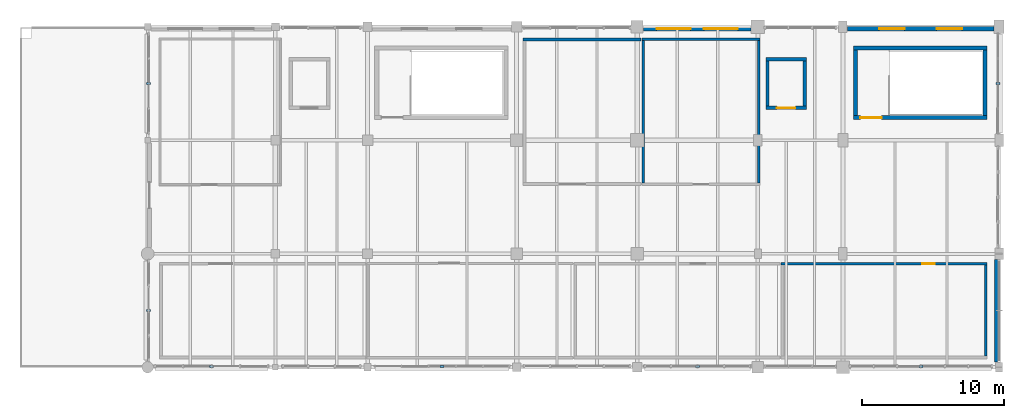
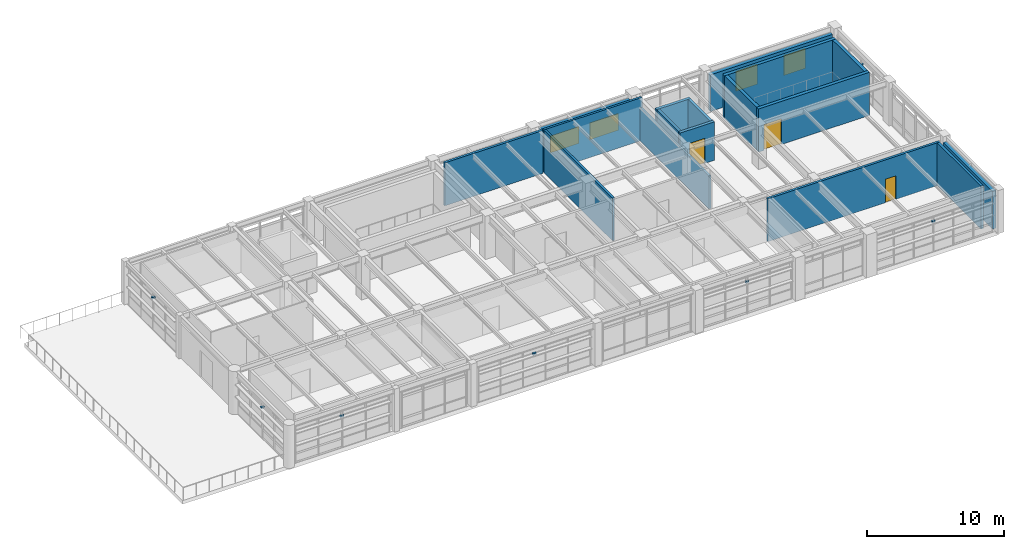
# One storey, part 25 of 26: 17 walls, 7 discrete accessories, 4 windows, 3 doors, 7 openings.
"""IFC4 building model written with IfcOpenShell, lengths in metres."""

from ifc_helpers import new_model, si_unit, direction, frame, frame_2d, origin, origin_2d, place, context, subcontext, project, spatial, rectangle, extrude, material, layer, layer_set, type_object, element, fill, save


model = new_model("IFC4")

# Units and contexts
model_context = context("Model", 3, precision=1e-05, world=origin(), true_north=direction((0.0, 1.0)))
body_context = subcontext(model_context, "Body", "Model", "MODEL_VIEW")
ifc_project = project(units=[si_unit("LENGTHUNIT", "METRE"), si_unit("AREAUNIT", "SQUARE_METRE"), si_unit("VOLUMEUNIT", "CUBIC_METRE"), si_unit("PLANEANGLEUNIT", "RADIAN"), si_unit("MASSUNIT", "GRAM", prefix="KILO"), si_unit("THERMODYNAMICTEMPERATUREUNIT", "KELVIN"), si_unit("POWERUNIT", "WATT")], contexts=[model_context])

# Site, building, storey
site_placement = place(None, origin())
site = spatial("IfcSite", under=ifc_project, at=site_placement, CompositionType="ELEMENT")
building_placement = place(site_placement, origin())
building = spatial("IfcBuilding", under=site, at=building_placement, Name="Tepalcoro Natatorium and Aquatics Centre", CompositionType="ELEMENT")
storey_placement = place(building_placement, frame((0.0, 0.0, 19.0)))
storey = spatial("IfcBuildingStorey", under=building, at=storey_placement, Name="L04", CompositionType="ELEMENT", Elevation=19.0)

# Wall, openings, windows
ifc_material_1 = material(Name="Jalisco Cantera Rosa Volcanic Tuff Ashlar Masonry", Category="masonry")
ifc_layer_1 = layer(ifc_material_1, 0.304931640625)
ifc_layer_set_1 = layer_set([ifc_layer_1], Name="Jalisco Cantera Rosa Volcanic Tuff Ashlar Masonry")
wall_type_1 = type_object("IfcWallType", Name="WL_EXT_TERRACOTTA_300", PredefinedType="SOLIDWALL", material=ifc_layer_set_1)
wall_1_placement = place(storey_placement, frame((150.928955078125, 117.847412109375, 0.0), z_axis=(0.0, 0.0, 1.0), x_axis=(1.0, 0.0, 0.0)))
wall_1 = element("IfcWall", 1, at=wall_1_placement, inside=storey, type_object=wall_type_1, Name="V5 L04 N Volcanic Basalt Envelope Wall", PredefinedType="SOLIDWALL", context=body_context, shape_type="SweptSolid", body=[
    extrude(rectangle(XDim=7.592041015625, YDim=0.304931640625, at=frame_2d((3.7958984375, 0.0))), origin(), (0.0, 0.0, 1.0), 3.406982421875),
])
opening_1_placement = place(wall_1_placement, frame((0.9306640625, 0.0, 0.949951171875)))
opening_1 = element("IfcOpeningElement", 2, at=opening_1_placement, cuts=wall_1, Name="Opening W0113A", PredefinedType="OPENING", context=body_context, shape_type="SweptSolid", body=[
    extrude(rectangle(XDim=2.39990234375, YDim=1.5, at=frame_2d((1.199951171875, 0.75))), frame((0.0, 0.16455078125, 0.0), z_axis=(0.0, -1.0, 0.0), x_axis=(1.0, 0.0, 0.0)), (0.0, 0.0, 1.0), 0.328857421875),
])
opening_2_placement = place(wall_1_placement, frame((4.26123046875, 0.0, 0.949951171875)))
opening_2 = element("IfcOpeningElement", 3, at=opening_2_placement, cuts=wall_1, Name="Opening W0113B", PredefinedType="OPENING", context=body_context, shape_type="SweptSolid", body=[
    extrude(rectangle(XDim=2.39990234375, YDim=1.5, at=frame_2d((1.199951171875, 0.75))), frame((0.0, 0.16455078125, 0.0), z_axis=(0.0, -1.0, 0.0), x_axis=(1.0, 0.0, 0.0)), (0.0, 0.0, 1.0), 0.328857421875),
])
ifc_material_2 = material(Name="Solar-Control Bronze Tempered Low-E Double Glazing", Category="glass")
window_type_1 = type_object("IfcWindowType", Name="WN_240x150", PartitioningType="SINGLE_PANEL", PredefinedType="WINDOW", material=ifc_material_2)
window_1_placement = place(opening_1_placement, origin())
window_1 = element("IfcWindow", 4, at=window_1_placement, inside=storey, type_object=window_type_1, Name="Exterior Thermal Window WN_240x150", OverallHeight=1.5, OverallWidth=2.39990234375, PartitioningType="SINGLE_PANEL", PredefinedType="WINDOW", context=body_context, shape_type="SweptSolid", body=[
    extrude(rectangle(XDim=2.39990234375, YDim=1.5, at=frame_2d((1.199951171875, 0.75))), frame((0.0, 0.030029296875, 0.0), z_axis=(0.0, -1.0, 0.0), x_axis=(1.0, 0.0, 0.0)), (0.0, 0.0, 1.0), 0.06005859375),
])
fill(opening_1, window_1)
window_2_placement = place(opening_2_placement, origin())
window_2 = element("IfcWindow", 5, at=window_2_placement, inside=storey, type_object=window_type_1, Name="Exterior Thermal Window WN_240x150", OverallHeight=1.5, OverallWidth=2.39990234375, PartitioningType="SINGLE_PANEL", PredefinedType="WINDOW", context=body_context, shape_type="SweptSolid", body=[
    extrude(rectangle(XDim=2.39990234375, YDim=1.5, at=frame_2d((1.199951171875, 0.75))), frame((0.0, 0.030029296875, 0.0), z_axis=(0.0, -1.0, 0.0), x_axis=(1.0, 0.0, 0.0)), (0.0, 0.0, 1.0), 0.06005859375),
])
fill(opening_2, window_2)

wall_2_placement = place(storey_placement, frame((165.303955078125, 117.847412109375, 0.0), z_axis=(0.0, 0.0, 1.0), x_axis=(1.0, 0.0, 0.0)))
wall_2 = element("IfcWall", 6, at=wall_2_placement, inside=storey, type_object=wall_type_1, Name="V5 L04 N Volcanic Basalt Envelope Wall", PredefinedType="SOLIDWALL", context=body_context, shape_type="SweptSolid", body=[
    extrude(rectangle(XDim=10.342041015625, YDim=0.304931640625, at=frame_2d((5.1708984375, 0.0))), origin(), (0.0, 0.0, 1.0), 3.283935546875),
])
opening_3_placement = place(wall_2_placement, frame((2.247314453125, 0.0, 0.949951171875)))
opening_3 = element("IfcOpeningElement", 7, at=opening_3_placement, cuts=wall_2, Name="Opening W0114A", PredefinedType="OPENING", context=body_context, shape_type="SweptSolid", body=[
    extrude(rectangle(XDim=1.800048828125, YDim=1.800048828125, at=frame_2d((0.89990234375, 0.89990234375))), frame((0.0, 0.16455078125, 0.0), z_axis=(0.0, -1.0, 0.0), x_axis=(1.0, 0.0, 0.0)), (0.0, 0.0, 1.0), 0.328857421875),
])
opening_4_placement = place(wall_2_placement, frame((6.294677734375, 0.0, 0.949951171875)))
opening_4 = element("IfcOpeningElement", 8, at=opening_4_placement, cuts=wall_2, Name="Opening W0114B", PredefinedType="OPENING", context=body_context, shape_type="SweptSolid", body=[
    extrude(rectangle(XDim=1.800048828125, YDim=1.800048828125, at=frame_2d((0.89990234375, 0.89990234375))), frame((0.0, 0.16455078125, 0.0), z_axis=(0.0, -1.0, 0.0), x_axis=(1.0, 0.0, 0.0)), (0.0, 0.0, 1.0), 0.328857421875),
])
window_type_2 = type_object("IfcWindowType", Name="WN_180x180", PartitioningType="SINGLE_PANEL", PredefinedType="WINDOW", material=ifc_material_2)
window_3_placement = place(opening_3_placement, origin())
window_3 = element("IfcWindow", 9, at=window_3_placement, inside=storey, type_object=window_type_2, Name="Exterior Thermal Window WN_180x180", OverallHeight=1.800048828125, OverallWidth=1.800048828125, PartitioningType="SINGLE_PANEL", PredefinedType="WINDOW", context=body_context, shape_type="SweptSolid", body=[
    extrude(rectangle(XDim=1.800048828125, YDim=1.800048828125, at=frame_2d((0.89990234375, 0.89990234375))), frame((0.0, 0.030029296875, 0.0), z_axis=(0.0, -1.0, 0.0), x_axis=(1.0, 0.0, 0.0)), (0.0, 0.0, 1.0), 0.06005859375),
])
fill(opening_3, window_3)
window_4_placement = place(opening_4_placement, origin())
window_4 = element("IfcWindow", 10, at=window_4_placement, inside=storey, type_object=window_type_2, Name="Exterior Thermal Window WN_180x180", OverallHeight=1.800048828125, OverallWidth=1.800048828125, PartitioningType="SINGLE_PANEL", PredefinedType="WINDOW", context=body_context, shape_type="SweptSolid", body=[
    extrude(rectangle(XDim=1.800048828125, YDim=1.800048828125, at=frame_2d((0.89990234375, 0.89990234375))), frame((0.0, 0.030029296875, 0.0), z_axis=(0.0, -1.0, 0.0), x_axis=(1.0, 0.0, 0.0)), (0.0, 0.0, 1.0), 0.06005859375),
])
fill(opening_4, window_4)

# Walls
wall_3_placement = place(storey_placement, frame((175.847412109375, 94.35400390625, 0.0), z_axis=(0.0, 0.0, 1.0), x_axis=(0.0, 1.0, 0.0)))
element("IfcWall", 11, at=wall_3_placement, inside=storey, type_object=wall_type_1, Name="V5 L04 E Volcanic Basalt Envelope Wall", PredefinedType="SOLIDWALL", context=body_context, shape_type="SweptSolid", body=[
    extrude(rectangle(XDim=7.241943359375, YDim=0.304931640625, at=frame_2d((3.62109375, 0.0))), origin(), (0.0, 0.0, 1.0), 3.360107421875),
])
ifc_material_3 = material(Name="Moisture-Resistant Acoustic Gypsum Drywall on Cold-Formed Metal Studs")
ifc_layer_2 = layer(ifc_material_3, 0.179931640625)
ifc_layer_set_2 = layer_set([ifc_layer_2], Name="Moisture-Resistant Acoustic Gypsum Drywall on Cold-Formed Metal Studs")
wall_type_2 = type_object("IfcWallType", Name="WL_PART_180_AC", PredefinedType="PARTITIONING", material=ifc_layer_set_2)
wall_4_placement = place(storey_placement, frame((150.840087890625, 117.110107421875, 0.0), z_axis=(0.0, 0.0, 1.0), x_axis=(1.0, 0.0, 0.0)))
element("IfcWall", 12, at=wall_4_placement, inside=storey, type_object=wall_type_2, Name="Observatory Catering Pantry & Chair Store Partition N", PredefinedType="PARTITIONING", context=body_context, shape_type="SweptSolid", body=[
    extrude(rectangle(XDim=8.31982421875, YDim=0.179931640625, at=frame_2d((4.159912109375, 0.0))), origin(), (0.0, 0.0, 1.0), 3.8349609375),
])
wall_5_placement = place(storey_placement, frame((159.070068359375, 106.97998046875, 0.0), z_axis=(0.0, 0.0, 1.0), x_axis=(0.0, 1.0, 0.0)))
element("IfcWall", 13, at=wall_5_placement, inside=storey, type_object=wall_type_2, Name="Observatory Catering Pantry & Chair Store Partition E", PredefinedType="PARTITIONING", context=body_context, shape_type="SweptSolid", body=[
    extrude(rectangle(XDim=10.0400390625, YDim=0.179931640625, at=frame_2d((5.02001953125, 0.0))), origin(), (0.0, 0.0, 1.0), 2.9609375),
])
wall_6_placement = place(storey_placement, frame((150.929931640625, 106.97998046875, 0.0), z_axis=(0.0, 0.0, 1.0), x_axis=(0.0, 1.0, 0.0)))
element("IfcWall", 14, at=wall_6_placement, inside=storey, type_object=wall_type_2, Name="Observatory Catering Pantry & Chair Store Partition W", PredefinedType="PARTITIONING", context=body_context, shape_type="SweptSolid", body=[
    extrude(rectangle(XDim=10.0400390625, YDim=0.179931640625, at=frame_2d((5.02001953125, 0.0))), origin(), (0.0, 0.0, 1.0), 3.8349609375),
])

# Wall, opening, door
ifc_material_4 = material(Name="Ceramic-Tiled Moisture-Resistant Masonry Blockwork", Category="masonry")
ifc_layer_3 = layer(ifc_material_4, 0.199951171875)
ifc_layer_set_3 = layer_set([ifc_layer_3], Name="Ceramic-Tiled Moisture-Resistant Masonry Blockwork")
wall_type_3 = type_object("IfcWallType", Name="WL_PLUMB_200", PredefinedType="PLUMBINGWALL", material=ifc_layer_set_3)
wall_7_placement = place(storey_placement, frame((160.639892578125, 101.300048828125, 0.0), z_axis=(0.0, 0.0, 1.0), x_axis=(1.0, 0.0, 0.0)))
wall_7 = element("IfcWall", 15, at=wall_7_placement, inside=storey, type_object=wall_type_3, Name="L04 Observatory Male/Female & Accessible Toilets Partition N", PredefinedType="PLUMBINGWALL", context=body_context, shape_type="SweptSolid", body=[
    extrude(rectangle(XDim=14.52001953125, YDim=0.199951171875, at=frame_2d((7.260009765625, 0.0))), origin(), (0.0, 0.0, 1.0), 3.8349609375),
])
opening_5_placement = place(wall_7_placement, frame((9.93994140625, 0.0, 0.0)))
opening_5 = element("IfcOpeningElement", 16, at=opening_5_placement, cuts=wall_7, Name="Opening D0193", PredefinedType="OPENING", context=body_context, shape_type="SweptSolid", body=[
    extrude(rectangle(XDim=0.89990234375, YDim=2.10009765625, at=frame_2d((0.449951171875, 1.050048828125))), frame((0.0, 0.11181640625, 0.0), z_axis=(0.0, -1.0, 0.0), x_axis=(1.0, 0.0, 0.0)), (0.0, 0.0, 1.0), 0.223876953125),
])
ifc_material_5 = material(Name="Solid-Core Moisture-Sealed Oak Timber Leaf in Aluminium Frame", Category="wood")
door_type_1 = type_object("IfcDoorType", Name="DR_095x215_WC", OperationType="NOTDEFINED", PredefinedType="DOOR", material=ifc_material_5)
door_1_placement = place(opening_5_placement, frame((0.89990234375, 0.0, 0.0), z_axis=(0.0, 0.0, 1.0), x_axis=(-1.0, 0.0, 0.0)))
door_1 = element("IfcDoor", 17, at=door_1_placement, inside=storey, type_object=door_type_1, Name="L04 Observatory Male/Female & Accessible Toilets Door", OperationType="SINGLE_SWING_RIGHT", OverallHeight=2.10009765625, OverallWidth=0.89990234375, PredefinedType="DOOR", context=body_context, shape_type="SweptSolid", body=[
    extrude(rectangle(XDim=0.89990234375, YDim=2.10009765625, at=frame_2d((0.449951171875, 1.050048828125))), frame((0.0, 0.02490234375, 0.0), z_axis=(0.0, -1.0, 0.0), x_axis=(1.0, 0.0, 0.0)), (0.0, 0.0, 1.0), 0.050048828125),
])
fill(opening_5, door_1)

# Wall
wall_8_placement = place(storey_placement, frame((175.06005859375, 94.800048828125, 0.0), z_axis=(0.0, 0.0, 1.0), x_axis=(0.0, 1.0, 0.0)))
element("IfcWall", 18, at=wall_8_placement, inside=storey, type_object=wall_type_3, Name="L04 Observatory Male/Female & Accessible Toilets Partition E", PredefinedType="PLUMBINGWALL", context=body_context, shape_type="SweptSolid", body=[
    extrude(rectangle(XDim=6.39990234375, YDim=0.199951171875, at=frame_2d((3.199951171875, 0.0))), origin(), (0.0, 0.0, 1.0), 3.8349609375),
])

# Wall, opening, door
ifc_material_6 = material(Name="Concrete C40/50 (fc 40 MPa)", Category="concrete")
ifc_layer_4 = layer(ifc_material_6, 0.239990234375)
ifc_layer_set_4 = layer_set([ifc_layer_4], Name="Concrete C40/50 (fc 40 MPa)")
wall_type_4 = type_object("IfcWallType", Name="WL_SHAFT_240", PredefinedType="SOLIDWALL", material=ifc_layer_set_4)
wall_9_placement = place(storey_placement, frame((159.56005859375, 112.280029296875, 0.0), z_axis=(0.0, 0.0, 1.0), x_axis=(1.0, 0.0, 0.0)))
wall_9 = element("IfcWall", 19, at=wall_9_placement, inside=storey, type_object=wall_type_4, Name="LF06 Lift Shaft Wall S L04", PredefinedType="SOLIDWALL", context=body_context, shape_type="SweptSolid", body=[
    extrude(rectangle(XDim=2.8798828125, YDim=0.239990234375, at=frame_2d((1.43994140625, 0.0))), origin(), (0.0, 0.0, 1.0), 3.449951171875),
])
opening_6_placement = place(wall_9_placement, frame((0.7900390625, 0.0, 0.0)))
opening_6 = element("IfcOpeningElement", 20, at=opening_6_placement, cuts=wall_9, Name="Opening LD-LF06-L04", PredefinedType="OPENING", context=body_context, shape_type="SweptSolid", body=[
    extrude(rectangle(XDim=1.300048828125, YDim=2.25, at=frame_2d((0.64990234375, 1.125))), frame((0.0, 0.1318359375, 0.0), z_axis=(0.0, -1.0, 0.0), x_axis=(1.0, 0.0, 0.0)), (0.0, 0.0, 1.0), 0.263916015625),
])
ifc_material_7 = material(Name="Marine-Grade Brushed Stainless Steel AISI 316L", Category="steel")
door_type_2 = type_object("IfcDoorType", Name="DR_130x225_LIFT", OperationType="NOTDEFINED", PredefinedType="USERDEFINED", material=ifc_material_7)
door_2_placement = place(opening_6_placement, origin())
door_2 = element("IfcDoor", 21, at=door_2_placement, inside=storey, type_object=door_type_2, Name="LF06 Lift Landing Sliding Door (L04)", ObjectType="SLIDING LANDING DOOR", OperationType="SLIDING_TO_LEFT", OverallHeight=2.25, OverallWidth=1.300048828125, PredefinedType="USERDEFINED", context=body_context, shape_type="SweptSolid", body=[
    extrude(rectangle(XDim=1.300048828125, YDim=2.25, at=frame_2d((0.64990234375, 1.125))), frame((0.0, 0.02490234375, 0.0), z_axis=(0.0, -1.0, 0.0), x_axis=(1.0, 0.0, 0.0)), (0.0, 0.0, 1.0), 0.050048828125),
])
fill(opening_6, door_2)

# Walls
wall_10_placement = place(storey_placement, frame((159.56005859375, 115.719970703125, 0.0), z_axis=(0.0, 0.0, 1.0), x_axis=(1.0, 0.0, 0.0)))
element("IfcWall", 22, at=wall_10_placement, inside=storey, type_object=wall_type_4, Name="LF06 Lift Shaft Wall N L04", PredefinedType="SOLIDWALL", context=body_context, shape_type="SweptSolid", body=[
    extrude(rectangle(XDim=2.8798828125, YDim=0.239990234375, at=frame_2d((1.43994140625, 0.0))), origin(), (0.0, 0.0, 1.0), 3.449951171875),
])
for number, where, z_axis, x_axis, name in (
    (23, (159.679931640625, 112.39990234375, 0.0), (0.0, 0.0, 1.0), (0.0, 1.0, 0.0), "LF06 Lift Shaft Wall W L04"),
    (24, (162.320068359375, 112.39990234375, 0.0), (0.0, 0.0, 1.0), (0.0, 1.0, 0.0), "LF06 Lift Shaft Wall E L04"),
):
    element("IfcWall", number, at=place(storey_placement, frame(where, z_axis=z_axis, x_axis=x_axis)), inside=storey, type_object=wall_type_4, Name=name, PredefinedType="SOLIDWALL", context=body_context, shape_type="SweptSolid", body=[
        extrude(rectangle(XDim=3.2001953125, YDim=0.239990234375, at=frame_2d((1.60009765625, 0.0))), origin(), (0.0, 0.0, 1.0), 3.449951171875),
    ])

# Wall, opening, door
ifc_layer_5 = layer(ifc_material_6, 0.280029296875)
ifc_layer_set_5 = layer_set([ifc_layer_5], Name="Concrete C40/50 (fc 40 MPa)")
wall_type_5 = type_object("IfcWallType", Name="WL_SHEAR_280", PredefinedType="SHEAR", material=ifc_layer_set_5)
wall_11_placement = place(storey_placement, frame((165.75, 111.590087890625, 0.0), z_axis=(0.0, 0.0, 1.0), x_axis=(1.0, 0.0, 0.0)))
wall_11 = element("IfcWall", 25, at=wall_11_placement, inside=storey, type_object=wall_type_5, Name="ST10 Core Shear Wall S L04", PredefinedType="SHEAR", context=body_context, shape_type="SweptSolid", body=[
    extrude(rectangle(XDim=9.39990234375, YDim=0.280029296875, at=frame_2d((4.699951171875, 0.0))), origin(), (0.0, 0.0, 1.0), 3.85009765625),
])
opening_7_placement = place(wall_11_placement, frame((0.47998046875, 0.0, 0.0)))
opening_7 = element("IfcOpeningElement", 26, at=opening_7_placement, cuts=wall_11, Name="Opening D0042", PredefinedType="OPENING", context=body_context, shape_type="SweptSolid", body=[
    extrude(rectangle(XDim=1.5, YDim=2.300048828125, at=frame_2d((0.75, 1.14990234375))), frame((0.0, 0.15185546875, 0.0), z_axis=(0.0, -1.0, 0.0), x_axis=(1.0, 0.0, 0.0)), (0.0, 0.0, 1.0), 0.303955078125),
])
ifc_material_8 = material(Name="Galvanised Steel Insulated Acoustic Fire Door Assembly", Category="steel")
door_type_3 = type_object("IfcDoorType", Name="DR_150x230_FD60", OperationType="NOTDEFINED", PredefinedType="DOOR", material=ifc_material_8)
door_3_placement = place(opening_7_placement, origin())
door_3 = element("IfcDoor", 27, at=door_3_placement, inside=storey, type_object=door_type_3, Name="ST10 Fire Stair Door (L04)", OperationType="DOUBLE_DOOR_SINGLE_SWING", OverallHeight=2.300048828125, OverallWidth=1.5, PredefinedType="DOOR", context=body_context, shape_type="SweptSolid", body=[
    extrude(rectangle(XDim=1.5, YDim=2.300048828125, at=frame_2d((0.75, 1.14990234375))), frame((0.0, 0.02490234375, 0.0), z_axis=(0.0, -1.0, 0.0), x_axis=(1.0, 0.0, 0.0)), (0.0, 0.0, 1.0), 0.050048828125),
])
fill(opening_7, door_3)

# Walls
wall_12_placement = place(storey_placement, frame((165.75, 116.510009765625, 0.0), z_axis=(0.0, 0.0, 1.0), x_axis=(1.0, 0.0, 0.0)))
element("IfcWall", 28, at=wall_12_placement, inside=storey, type_object=wall_type_5, Name="ST10 Core Shear Wall N L04", PredefinedType="SHEAR", context=body_context, shape_type="SweptSolid", body=[
    extrude(rectangle(XDim=9.39990234375, YDim=0.280029296875, at=frame_2d((4.699951171875, 0.0))), origin(), (0.0, 0.0, 1.0), 3.85009765625),
])
for number, where, z_axis, x_axis, name in (
    (29, (165.889892578125, 111.72998046875, 0.0), (0.0, 0.0, 1.0), (0.0, 1.0, 0.0), "ST10 Core Shear Wall W L04"),
    (30, (175.010009765625, 111.72998046875, 0.0), (0.0, 0.0, 1.0), (0.0, 1.0, 0.0), "ST10 Core Shear Wall E L04"),
):
    element("IfcWall", number, at=place(storey_placement, frame(where, z_axis=z_axis, x_axis=x_axis)), inside=storey, type_object=wall_type_5, Name=name, PredefinedType="SHEAR", context=body_context, shape_type="SweptSolid", body=[
        extrude(rectangle(XDim=4.64013671875, YDim=0.280029296875, at=frame_2d((2.320068359375, 0.0))), origin(), (0.0, 0.0, 1.0), 3.85009765625),
    ])
ifc_material_9 = material(Name="Concrete C35/45 (fc 35 MPa)", Category="concrete")
ifc_layer_6 = layer(ifc_material_9, 0.205078125)
ifc_layer_set_6 = layer_set([ifc_layer_6], Name="Concrete C35/45 (fc 35 MPa)")
wall_type_6 = type_object("IfcWallType", Name="WL_SOLID_200_FR120", PredefinedType="SOLIDWALL", material=ifc_layer_set_6)
wall_13_placement = place(storey_placement, frame((142.43994140625, 117.097412109375, 0.0), z_axis=(0.0, 0.0, 1.0), x_axis=(1.0, 0.0, 0.0)))
element("IfcWall", 31, at=wall_13_placement, inside=storey, type_object=wall_type_6, Name="Solar-Thermal Inverter & Heat-Recovery AHU Plant Partition N", PredefinedType="SOLIDWALL", context=body_context, shape_type="SweptSolid", body=[
    extrude(rectangle(XDim=8.320068359375, YDim=0.205078125, at=frame_2d((4.16015625, 0.0))), origin(), (0.0, 0.0, 1.0), 3.8349609375),
])

# Discrete accessories
ifc_material_10 = material(Name="Plate Steel ASTM A572 Grade 50 (Fy 345 MPa)", Category="steel")
discrete_accessory_type_1 = type_object("IfcDiscreteAccessoryType", Name="BRK_FACADE_GALV", PredefinedType="BRACKET", material=ifc_material_10)
for number, where, z_axis, x_axis, name in (
    (32, (120.5, 94.05615234375, 2.74267578125), (0.0, 0.0, 1.0), (1.0, 0.0, 0.0), "Solar Shading Outrigger Bracket BRK_FACADE_GALV"),
    (33, (136.75, 94.05615234375, 2.61474609375), (0.0, 0.0, 1.0), (1.0, 0.0, 0.0), "Solar Shading Outrigger Bracket BRK_FACADE_GALV"),
    (34, (154.75, 94.05615234375, 2.74267578125), (0.0, 0.0, 1.0), (1.0, 0.0, 0.0), "Solar Shading Outrigger Bracket BRK_FACADE_GALV"),
    (35, (170.5, 94.05615234375, 2.61474609375), (0.0, 0.0, 1.0), (1.0, 0.0, 0.0), "Solar Shading Outrigger Bracket BRK_FACADE_GALV"),
    (36, (116.05615234375, 98.0, 2.6787109375), (0.0, 0.0, 1.0), (1.0, 0.0, 0.0), "Solar Shading Outrigger Bracket BRK_FACADE_GALV"),
    (37, (175.938720703125, 114.0, 2.61474609375), (0.0, 0.0, 1.0), (1.0, 0.0, 0.0), "Solar Shading Outrigger Bracket BRK_FACADE_GALV"),
):
    element("IfcDiscreteAccessory", number, at=place(storey_placement, frame(where, z_axis=z_axis, x_axis=x_axis)), inside=storey, type_object=discrete_accessory_type_1, Name=name, PredefinedType="BRACKET", context=body_context, shape_type="SweptSolid", body=[
        extrude(rectangle(XDim=0.280029296875, YDim=0.159912109375, at=origin_2d()), origin(), (0.0, 0.0, 1.0), 0.159912109375),
    ])
discrete_accessory_type_2 = type_object("IfcDiscreteAccessoryType", Name="BRK_SEISMIC_SS", PredefinedType="BRACKET", material=ifc_material_7)
discrete_accessory_placement = place(storey_placement, frame((116.05615234375, 114.0, 2.78173828125), z_axis=(0.0, 0.0, 1.0), x_axis=(1.0, 0.0, 0.0)))
element("IfcDiscreteAccessory", 38, at=discrete_accessory_placement, inside=storey, type_object=discrete_accessory_type_2, Name="Solar Shading Outrigger Bracket BRK_SEISMIC_SS", PredefinedType="BRACKET", context=body_context, shape_type="SweptSolid", body=[
    extrude(rectangle(XDim=0.280029296875, YDim=0.159912109375, at=origin_2d()), origin(), (0.0, 0.0, 1.0), 0.159912109375),
])

save(model, "model.ifc")
